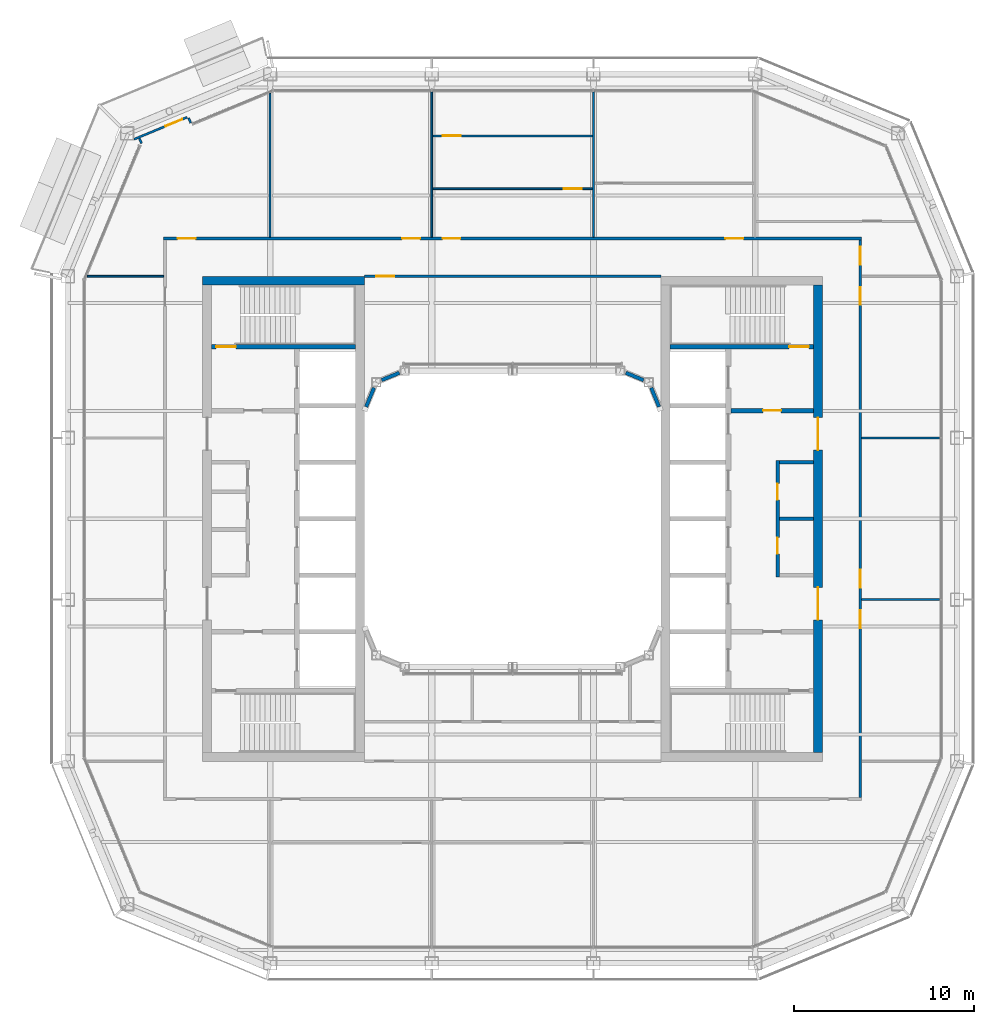
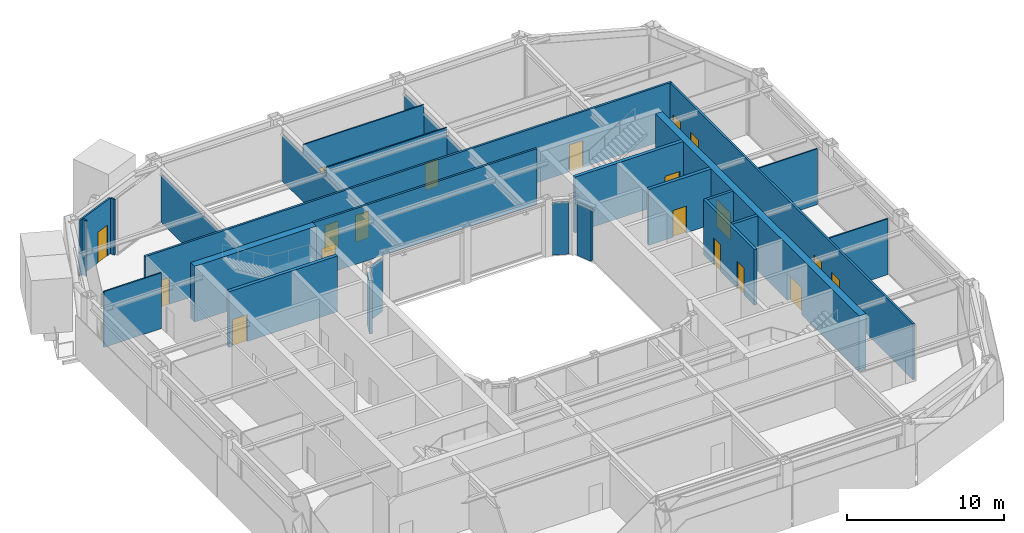
# One storey, part 13 of 21: 26 walls, 19 doors, 19 openings.
"""IFC4 building model written with IfcOpenShell, lengths in metres."""

from ifc_helpers import new_model, si_unit, direction, frame, frame_2d, origin, place, context, subcontext, project, spatial, rectangle, extrude, material, layer, layer_set, type_object, element, fill, save


model = new_model("IFC4")

# Units and contexts
model_context = context("Model", 3, precision=1e-05, world=origin(), true_north=direction((0.0, 1.0)))
body_context = subcontext(model_context, "Body", "Model", "MODEL_VIEW")
ifc_project = project(units=[si_unit("LENGTHUNIT", "METRE"), si_unit("AREAUNIT", "SQUARE_METRE"), si_unit("VOLUMEUNIT", "CUBIC_METRE"), si_unit("PLANEANGLEUNIT", "RADIAN"), si_unit("MASSUNIT", "GRAM", prefix="KILO")], contexts=[model_context])

# Site, building, storey
site_placement = place(None, origin())
site = spatial("IfcSite", under=ifc_project, at=site_placement, CompositionType="ELEMENT")
building_placement = place(site_placement, origin())
building = spatial("IfcBuilding", under=site, at=building_placement, Name="Siwar Civic Tower", CompositionType="ELEMENT")
storey_placement = place(building_placement, frame((0.0, 0.0, 312.199951171875)))
storey = spatial("IfcBuildingStorey", under=building, at=storey_placement, Name="L67", CompositionType="ELEMENT", Elevation=312.199951171875)

# Wall, openings, doors
ifc_material_1 = material(Name="Gypsum board on steel studs", Category="steel")
ifc_layer_1 = layer(ifc_material_1, 0.199951171875)
ifc_layer_set_1 = layer_set([ifc_layer_1], Name="Gypsum board on steel studs")
wall_type_1 = type_object("IfcWallType", Name="CORE-PARTITION-200", PredefinedType="PARTITIONING", material=ifc_layer_set_1)
wall_1_placement = place(storey_placement, frame((14.75, -3.25, 0.0), z_axis=(0.0, 0.0, 1.0), x_axis=(0.0, 1.0, 0.0)))
wall_1 = element("IfcWall", 1, at=wall_1_placement, inside=storey, type_object=wall_type_1, Name="Core partition E", PredefinedType="PARTITIONING", context=body_context, shape_type="SweptSolid", body=[
    extrude(rectangle(XDim=6.5, YDim=0.199951171875, at=frame_2d((3.25, 0.0))), origin(), (0.0, 0.0, 1.0), 4.35009765625),
])
opening_1_placement = place(wall_1_placement, frame((1.300048828125, 0.0, 0.0)))
opening_1 = element("IfcOpeningElement", 2, at=opening_1_placement, cuts=wall_1, Name="Opening L67-CE13", PredefinedType="OPENING", context=body_context, shape_type="SweptSolid", body=[
    extrude(rectangle(XDim=0.89990234375, YDim=2.10009765625, at=frame_2d((0.449951171875, 1.050048828125))), frame((0.0, 0.10986328125, 0.0), z_axis=(0.0, -1.0, 0.0), x_axis=(1.0, 0.0, 0.0)), (0.0, 0.0, 1.0), 0.219970703125),
])
opening_2_placement = place(wall_1_placement, frame((4.300048828125, 0.0, 0.0)))
opening_2 = element("IfcOpeningElement", 3, at=opening_2_placement, cuts=wall_1, Name="Opening L67-CE14", PredefinedType="OPENING", context=body_context, shape_type="SweptSolid", body=[
    extrude(rectangle(XDim=0.89990234375, YDim=2.10009765625, at=frame_2d((0.449951171875, 1.050048828125))), frame((0.0, 0.10986328125, 0.0), z_axis=(0.0, -1.0, 0.0), x_axis=(1.0, 0.0, 0.0)), (0.0, 0.0, 1.0), 0.219970703125),
])
ifc_material_2 = material(Name="Steel door leaf", Category="steel")
door_type_1 = type_object("IfcDoorType", Name="CORE-DOOR-ROOM", OperationType="SINGLE_SWING_LEFT", PredefinedType="DOOR", material=ifc_material_2)
door_1_placement = place(opening_1_placement, origin())
door_1 = element("IfcDoor", 4, at=door_1_placement, inside=storey, type_object=door_type_1, Name="Core room door L67-CE13", OperationType="SINGLE_SWING_RIGHT", OverallHeight=2.10009765625, OverallWidth=0.89990234375, PredefinedType="DOOR", context=body_context, shape_type="SweptSolid", body=[
    extrude(rectangle(XDim=0.89990234375, YDim=2.10009765625, at=frame_2d((0.449951171875, 1.050048828125))), frame((0.0, 0.02490234375, 0.0), z_axis=(0.0, -1.0, 0.0), x_axis=(1.0, 0.0, 0.0)), (0.0, 0.0, 1.0), 0.050048828125),
])
fill(opening_1, door_1)
door_2_placement = place(opening_2_placement, origin())
door_2 = element("IfcDoor", 5, at=door_2_placement, inside=storey, type_object=door_type_1, Name="Core room door L67-CE14", OperationType="SINGLE_SWING_LEFT", OverallHeight=2.10009765625, OverallWidth=0.89990234375, PredefinedType="DOOR", context=body_context, shape_type="SweptSolid", body=[
    extrude(rectangle(XDim=0.89990234375, YDim=2.10009765625, at=frame_2d((0.449951171875, 1.050048828125))), frame((0.0, 0.02490234375, 0.0), z_axis=(0.0, -1.0, 0.0), x_axis=(1.0, 0.0, 0.0)), (0.0, 0.0, 1.0), 0.050048828125),
])
fill(opening_2, door_2)

# Walls
for number, where, z_axis, x_axis, name in (
    (6, (14.85009765625, 3.14990234375, 0.0), (0.0, 0.0, 1.0), (1.0, 0.0, 0.0), "Core partition E"),
    (7, (14.85009765625, 0.0, 0.0), (0.0, 0.0, 1.0), (1.0, 0.0, 0.0), "Core partition E"),
):
    element("IfcWall", number, at=place(storey_placement, frame(where, z_axis=z_axis, x_axis=x_axis)), inside=storey, type_object=wall_type_1, Name=name, PredefinedType="PARTITIONING", context=body_context, shape_type="SweptSolid", body=[
        extrude(rectangle(XDim=1.89990234375, YDim=0.199951171875, at=frame_2d((0.949951171875, 0.0))), origin(), (0.0, 0.0, 1.0), 4.35009765625),
    ])

# Wall, opening, door
ifc_material_3 = material(Name="Concrete C60/75", Category="concrete")
ifc_layer_2 = layer(ifc_material_3, 0.25)
ifc_layer_set_2 = layer_set([ifc_layer_2], Name="Concrete C60/75")
wall_type_2 = type_object("IfcWallType", Name="CORE-WALL-RC250", PredefinedType="SHEAR", material=ifc_layer_set_2)
wall_2_placement = place(storey_placement, frame((-8.75, 9.574951171875, 0.0), z_axis=(0.0, 0.0, 1.0), x_axis=(-1.0, 0.0, 0.0)))
wall_2 = element("IfcWall", 8, at=wall_2_placement, inside=storey, type_object=wall_type_2, Name="Core wall W", PredefinedType="SHEAR", context=body_context, shape_type="SweptSolid", body=[
    extrude(rectangle(XDim=8.0, YDim=0.25, at=frame_2d((4.0, 0.0))), origin(), (0.0, 0.0, 1.0), 4.35009765625),
])
opening_3_placement = place(wall_2_placement, frame((6.64990234375, 0.0, 0.0)))
opening_3 = element("IfcOpeningElement", 9, at=opening_3_placement, cuts=wall_2, Name="Opening L67-CW03", PredefinedType="OPENING", context=body_context, shape_type="SweptSolid", body=[
    extrude(rectangle(XDim=1.10009765625, YDim=2.10009765625, at=frame_2d((0.550048828125, 1.050048828125))), frame((0.0, 0.135009765625, 0.0), z_axis=(0.0, -1.0, 0.0), x_axis=(1.0, 0.0, 0.0)), (0.0, 0.0, 1.0), 0.27001953125),
])
ifc_material_4 = material(Name="Steel door leaf", Category="steel")
door_type_2 = type_object("IfcDoorType", Name="CORE-DOOR-FD60S", OperationType="SINGLE_SWING_LEFT", PredefinedType="DOOR", material=ifc_material_4)
door_3_placement = place(opening_3_placement, origin())
door_3 = element("IfcDoor", 10, at=door_3_placement, inside=storey, type_object=door_type_2, Name="Stair door L67-CW03", OperationType="SINGLE_SWING_RIGHT", OverallHeight=2.10009765625, OverallWidth=1.10009765625, PredefinedType="DOOR", context=body_context, shape_type="SweptSolid", body=[
    extrude(rectangle(XDim=1.10009765625, YDim=2.10009765625, at=frame_2d((0.550048828125, 1.050048828125))), frame((0.0, 0.02490234375, 0.0), z_axis=(0.0, -1.0, 0.0), x_axis=(1.0, 0.0, 0.0)), (0.0, 0.0, 1.0), 0.050048828125),
])
fill(opening_3, door_3)

wall_3_placement = place(storey_placement, frame((12.14990234375, 6.02490234375, 0.0), z_axis=(0.0, 0.0, 1.0), x_axis=(1.0, 0.0, 0.0)))
wall_3 = element("IfcWall", 11, at=wall_3_placement, inside=storey, type_object=wall_type_2, Name="Core wall E", PredefinedType="SHEAR", context=body_context, shape_type="SweptSolid", body=[
    extrude(rectangle(XDim=4.60009765625, YDim=0.25, at=frame_2d((2.300048828125, 0.0))), origin(), (0.0, 0.0, 1.0), 4.35009765625),
])
opening_4_placement = place(wall_3_placement, frame((1.800048828125, 0.0, 0.0)))
opening_4 = element("IfcOpeningElement", 12, at=opening_4_placement, cuts=wall_3, Name="Opening L67-CE01", PredefinedType="OPENING", context=body_context, shape_type="SweptSolid", body=[
    extrude(rectangle(XDim=1.0, YDim=2.10009765625, at=frame_2d((0.5, 1.050048828125))), frame((0.0, 0.135009765625, 0.0), z_axis=(0.0, -1.0, 0.0), x_axis=(1.0, 0.0, 0.0)), (0.0, 0.0, 1.0), 0.27001953125),
])
ifc_material_5 = material(Name="Steel door leaf", Category="steel")
door_type_3 = type_object("IfcDoorType", Name="CORE-DOOR-FD30S", OperationType="SINGLE_SWING_LEFT", PredefinedType="DOOR", material=ifc_material_5)
door_4_placement = place(opening_4_placement, origin())
door_4 = element("IfcDoor", 13, at=door_4_placement, inside=storey, type_object=door_type_3, Name="Firefighting lobby door L67-CE01", OperationType="SINGLE_SWING_RIGHT", OverallHeight=2.10009765625, OverallWidth=1.0, PredefinedType="DOOR", context=body_context, shape_type="SweptSolid", body=[
    extrude(rectangle(XDim=1.0, YDim=2.10009765625, at=frame_2d((0.5, 1.050048828125))), frame((0.0, 0.02490234375, 0.0), z_axis=(0.0, -1.0, 0.0), x_axis=(1.0, 0.0, 0.0)), (0.0, 0.0, 1.0), 0.050048828125),
])
fill(opening_4, door_4)

wall_4_placement = place(storey_placement, frame((8.75, 9.574951171875, 0.0), z_axis=(0.0, 0.0, 1.0), x_axis=(1.0, 0.0, 0.0)))
wall_4 = element("IfcWall", 14, at=wall_4_placement, inside=storey, type_object=wall_type_2, Name="Core wall E", PredefinedType="SHEAR", context=body_context, shape_type="SweptSolid", body=[
    extrude(rectangle(XDim=8.0, YDim=0.25, at=frame_2d((4.0, 0.0))), origin(), (0.0, 0.0, 1.0), 4.35009765625),
])
opening_5_placement = place(wall_4_placement, frame((6.64990234375, 0.0, 0.0)))
opening_5 = element("IfcOpeningElement", 15, at=opening_5_placement, cuts=wall_4, Name="Opening L67-CE03", PredefinedType="OPENING", context=body_context, shape_type="SweptSolid", body=[
    extrude(rectangle(XDim=1.10009765625, YDim=2.10009765625, at=frame_2d((0.550048828125, 1.050048828125))), frame((0.0, 0.135009765625, 0.0), z_axis=(0.0, -1.0, 0.0), x_axis=(1.0, 0.0, 0.0)), (0.0, 0.0, 1.0), 0.27001953125),
])
door_5_placement = place(opening_5_placement, origin())
door_5 = element("IfcDoor", 16, at=door_5_placement, inside=storey, type_object=door_type_2, Name="Stair door L67-CE03", OperationType="SINGLE_SWING_LEFT", OverallHeight=2.10009765625, OverallWidth=1.10009765625, PredefinedType="DOOR", context=body_context, shape_type="SweptSolid", body=[
    extrude(rectangle(XDim=1.10009765625, YDim=2.10009765625, at=frame_2d((0.550048828125, 1.050048828125))), frame((0.0, 0.02490234375, 0.0), z_axis=(0.0, -1.0, 0.0), x_axis=(1.0, 0.0, 0.0)), (0.0, 0.0, 1.0), 0.050048828125),
])
fill(opening_5, door_5)

# Wall
ifc_material_6 = material(Name="Concrete C60/75", Category="concrete")
ifc_layer_3 = layer(ifc_material_6, 0.5)
ifc_layer_set_3 = layer_set([ifc_layer_3], Name="Concrete C60/75")
wall_type_3 = type_object("IfcWallType", Name="CORE-WALL-RC500", PredefinedType="SHEAR", material=ifc_layer_set_3)
wall_5_placement = place(storey_placement, frame((-8.25, 13.25, 0.0), z_axis=(0.0, 0.0, 1.0), x_axis=(-1.0, 0.0, 0.0)))
element("IfcWall", 17, at=wall_5_placement, inside=storey, type_object=wall_type_3, Name="Core wall W", PredefinedType="SHEAR", context=body_context, shape_type="SweptSolid", body=[
    extrude(rectangle(XDim=9.0, YDim=0.5, at=frame_2d((4.5, 0.0))), origin(), (0.0, 0.0, 1.0), 4.35009765625),
])

# Wall, openings, doors
wall_6_placement = place(storey_placement, frame((17.0, -13.0, 0.0), z_axis=(0.0, 0.0, 1.0), x_axis=(0.0, 1.0, 0.0)))
wall_6 = element("IfcWall", 18, at=wall_6_placement, inside=storey, type_object=wall_type_3, Name="Core wall E", PredefinedType="SHEAR", context=body_context, shape_type="SweptSolid", body=[
    extrude(rectangle(XDim=26.0, YDim=0.5, at=frame_2d((13.0, 0.0))), origin(), (0.0, 0.0, 1.0), 4.35009765625),
])
opening_6_placement = place(wall_6_placement, frame((16.824951171875, 0.0, 0.0)))
opening_6 = element("IfcOpeningElement", 19, at=opening_6_placement, cuts=wall_6, Name="Opening L67-CE05", PredefinedType="OPENING", context=body_context, shape_type="SweptSolid", body=[
    extrude(rectangle(XDim=1.800048828125, YDim=2.10009765625, at=frame_2d((0.89990234375, 1.050048828125))), frame((0.0, 0.260009765625, 0.0), z_axis=(0.0, -1.0, 0.0), x_axis=(1.0, 0.0, 0.0)), (0.0, 0.0, 1.0), 0.52001953125),
])
opening_7_placement = place(wall_6_placement, frame((7.375, 0.0, 0.0)))
opening_7 = element("IfcOpeningElement", 20, at=opening_7_placement, cuts=wall_6, Name="Opening L67-CE06", PredefinedType="OPENING", context=body_context, shape_type="SweptSolid", body=[
    extrude(rectangle(XDim=1.800048828125, YDim=2.10009765625, at=frame_2d((0.89990234375, 1.050048828125))), frame((0.0, 0.260009765625, 0.0), z_axis=(0.0, -1.0, 0.0), x_axis=(1.0, 0.0, 0.0)), (0.0, 0.0, 1.0), 0.52001953125),
])
ifc_material_7 = material(Name="Steel door leaf", Category="steel")
door_type_4 = type_object("IfcDoorType", Name="CORE-DOOR-PORT", OperationType="DOUBLE_DOOR_DOUBLE_SWING", PredefinedType="DOOR", material=ifc_material_7)
door_6_placement = place(opening_6_placement, origin())
door_6 = element("IfcDoor", 21, at=door_6_placement, inside=storey, type_object=door_type_4, Name="Core entrance door L67-CE05", OperationType="DOUBLE_DOOR_DOUBLE_SWING", OverallHeight=2.10009765625, OverallWidth=1.800048828125, PredefinedType="DOOR", context=body_context, shape_type="SweptSolid", body=[
    extrude(rectangle(XDim=1.800048828125, YDim=2.10009765625, at=frame_2d((0.89990234375, 1.050048828125))), frame((0.0, 0.02490234375, 0.0), z_axis=(0.0, -1.0, 0.0), x_axis=(1.0, 0.0, 0.0)), (0.0, 0.0, 1.0), 0.050048828125),
])
fill(opening_6, door_6)
door_7_placement = place(opening_7_placement, origin())
door_7 = element("IfcDoor", 22, at=door_7_placement, inside=storey, type_object=door_type_4, Name="Core entrance door L67-CE06", OperationType="DOUBLE_DOOR_DOUBLE_SWING", OverallHeight=2.10009765625, OverallWidth=1.800048828125, PredefinedType="DOOR", context=body_context, shape_type="SweptSolid", body=[
    extrude(rectangle(XDim=1.800048828125, YDim=2.10009765625, at=frame_2d((0.89990234375, 1.050048828125))), frame((0.0, 0.02490234375, 0.0), z_axis=(0.0, -1.0, 0.0), x_axis=(1.0, 0.0, 0.0)), (0.0, 0.0, 1.0), 0.050048828125),
])
fill(opening_7, door_7)

# Wall, opening, door
ifc_material_8 = material(Name="Gypsum board on steel studs", Category="steel")
ifc_layer_4 = layer(ifc_material_8, 0.14990234375)
ifc_layer_set_4 = layer_set([ifc_layer_4], Name="Gypsum board on steel studs")
wall_type_4 = type_object("IfcWallType", Name="CORRIDOR PARTITION 150 EI 30", PredefinedType="PARTITIONING", material=ifc_layer_set_4)
wall_7_placement = place(storey_placement, frame((-8.25, 13.5, 0.0), z_axis=(0.0, 0.0, 1.0), x_axis=(1.0, 0.0, 0.0)))
wall_7 = element("IfcWall", 23, at=wall_7_placement, inside=storey, type_object=wall_type_4, Name="L67/wall/P14", PredefinedType="PARTITIONING", context=body_context, shape_type="SweptSolid", body=[
    extrude(rectangle(XDim=16.5, YDim=0.14990234375, at=frame_2d((8.25, 0.0))), origin(), (0.0, 0.0, 1.0), 4.35009765625),
])
opening_8_placement = place(wall_7_placement, frame((0.64990234375, 0.0, 0.0)))
opening_8 = element("IfcOpeningElement", 24, at=opening_8_placement, cuts=wall_7, Name="Opening D1", PredefinedType="OPENING", context=body_context, shape_type="SweptSolid", body=[
    extrude(rectangle(XDim=1.0, YDim=2.10009765625, at=frame_2d((0.5, 1.050048828125))), frame((0.0, 0.0849609375, 0.0), z_axis=(0.0, -1.0, 0.0), x_axis=(1.0, 0.0, 0.0)), (0.0, 0.0, 1.0), 0.169921875),
])
ifc_material_9 = material(Name="Timber, painted", Category="wood")
door_type_5 = type_object("IfcDoorType", Name="DOOR 1000 X 2100 FD30", OperationType="SINGLE_SWING_LEFT", PredefinedType="DOOR", material=ifc_material_9)
door_8_placement = place(opening_8_placement, origin())
door_8 = element("IfcDoor", 25, at=door_8_placement, inside=storey, type_object=door_type_5, Name="L67-D23", OperationType="SINGLE_SWING_LEFT", OverallHeight=2.10009765625, OverallWidth=1.0, PredefinedType="DOOR", context=body_context, shape_type="SweptSolid", body=[
    extrude(rectangle(XDim=1.0, YDim=2.10009765625, at=frame_2d((0.5, 1.050048828125))), frame((0.0, 0.02490234375, 0.0), z_axis=(0.0, -1.0, 0.0), x_axis=(1.0, 0.0, 0.0)), (0.0, 0.0, 1.0), 0.050048828125),
])
fill(opening_8, door_8)

# Wall, openings, doors
wall_8_placement = place(storey_placement, frame((-19.425048828125, 15.60009765625, 0.0), z_axis=(0.0, 0.0, 1.0), x_axis=(1.0, 0.0, 0.0)))
wall_8 = element("IfcWall", 26, at=wall_8_placement, inside=storey, type_object=wall_type_4, Name="L67/wall/P15", PredefinedType="PARTITIONING", context=body_context, shape_type="SweptSolid", body=[
    extrude(rectangle(XDim=38.85009765625, YDim=0.14990234375, at=frame_2d((19.425048828125, 0.0))), origin(), (0.0, 0.0, 1.0), 4.35009765625),
])
opening_9_placement = place(wall_8_placement, frame((13.27490234375, 0.0, 0.0)))
opening_9 = element("IfcOpeningElement", 27, at=opening_9_placement, cuts=wall_8, Name="Opening D1", PredefinedType="OPENING", context=body_context, shape_type="SweptSolid", body=[
    extrude(rectangle(XDim=1.0, YDim=2.10009765625, at=frame_2d((0.5, 1.050048828125))), frame((0.0, 0.0849609375, 0.0), z_axis=(0.0, -1.0, 0.0), x_axis=(1.0, 0.0, 0.0)), (0.0, 0.0, 1.0), 0.169921875),
])
opening_10_placement = place(wall_8_placement, frame((15.52490234375, 0.0, 0.0)))
opening_10 = element("IfcOpeningElement", 28, at=opening_10_placement, cuts=wall_8, Name="Opening D1", PredefinedType="OPENING", context=body_context, shape_type="SweptSolid", body=[
    extrude(rectangle(XDim=1.0, YDim=2.10009765625, at=frame_2d((0.5, 1.050048828125))), frame((0.0, 0.0849609375, 0.0), z_axis=(0.0, -1.0, 0.0), x_axis=(1.0, 0.0, 0.0)), (0.0, 0.0, 1.0), 0.169921875),
])
opening_11_placement = place(wall_8_placement, frame((31.27490234375, 0.0, 0.0)))
opening_11 = element("IfcOpeningElement", 29, at=opening_11_placement, cuts=wall_8, Name="Opening D1", PredefinedType="OPENING", context=body_context, shape_type="SweptSolid", body=[
    extrude(rectangle(XDim=1.0, YDim=2.10009765625, at=frame_2d((0.5, 1.050048828125))), frame((0.0, 0.0849609375, 0.0), z_axis=(0.0, -1.0, 0.0), x_axis=(1.0, 0.0, 0.0)), (0.0, 0.0, 1.0), 0.169921875),
])
opening_12_placement = place(wall_8_placement, frame((0.77490234375, 0.0, 0.0)))
opening_12 = element("IfcOpeningElement", 30, at=opening_12_placement, cuts=wall_8, Name="Opening D1", PredefinedType="OPENING", context=body_context, shape_type="SweptSolid", body=[
    extrude(rectangle(XDim=1.0, YDim=2.10009765625, at=frame_2d((0.5, 1.050048828125))), frame((0.0, 0.0849609375, 0.0), z_axis=(0.0, -1.0, 0.0), x_axis=(1.0, 0.0, 0.0)), (0.0, 0.0, 1.0), 0.169921875),
])
door_9_placement = place(opening_9_placement, origin())
door_9 = element("IfcDoor", 31, at=door_9_placement, inside=storey, type_object=door_type_5, Name="L67-D01", OperationType="SINGLE_SWING_LEFT", OverallHeight=2.10009765625, OverallWidth=1.0, PredefinedType="DOOR", context=body_context, shape_type="SweptSolid", body=[
    extrude(rectangle(XDim=1.0, YDim=2.10009765625, at=frame_2d((0.5, 1.050048828125))), frame((0.0, 0.02490234375, 0.0), z_axis=(0.0, -1.0, 0.0), x_axis=(1.0, 0.0, 0.0)), (0.0, 0.0, 1.0), 0.050048828125),
])
fill(opening_9, door_9)
door_10_placement = place(opening_10_placement, origin())
door_10 = element("IfcDoor", 32, at=door_10_placement, inside=storey, type_object=door_type_5, Name="L67-D02", OperationType="SINGLE_SWING_RIGHT", OverallHeight=2.10009765625, OverallWidth=1.0, PredefinedType="DOOR", context=body_context, shape_type="SweptSolid", body=[
    extrude(rectangle(XDim=1.0, YDim=2.10009765625, at=frame_2d((0.5, 1.050048828125))), frame((0.0, 0.02490234375, 0.0), z_axis=(0.0, -1.0, 0.0), x_axis=(1.0, 0.0, 0.0)), (0.0, 0.0, 1.0), 0.050048828125),
])
fill(opening_10, door_10)
door_11_placement = place(opening_11_placement, origin())
door_11 = element("IfcDoor", 33, at=door_11_placement, inside=storey, type_object=door_type_5, Name="L67-D05", OperationType="SINGLE_SWING_LEFT", OverallHeight=2.10009765625, OverallWidth=1.0, PredefinedType="DOOR", context=body_context, shape_type="SweptSolid", body=[
    extrude(rectangle(XDim=1.0, YDim=2.10009765625, at=frame_2d((0.5, 1.050048828125))), frame((0.0, 0.02490234375, 0.0), z_axis=(0.0, -1.0, 0.0), x_axis=(1.0, 0.0, 0.0)), (0.0, 0.0, 1.0), 0.050048828125),
])
fill(opening_11, door_11)
door_12_placement = place(opening_12_placement, origin())
door_12 = element("IfcDoor", 34, at=door_12_placement, inside=storey, type_object=door_type_5, Name="L67-D12", OperationType="SINGLE_SWING_RIGHT", OverallHeight=2.10009765625, OverallWidth=1.0, PredefinedType="DOOR", context=body_context, shape_type="SweptSolid", body=[
    extrude(rectangle(XDim=1.0, YDim=2.10009765625, at=frame_2d((0.5, 1.050048828125))), frame((0.0, 0.02490234375, 0.0), z_axis=(0.0, -1.0, 0.0), x_axis=(1.0, 0.0, 0.0)), (0.0, 0.0, 1.0), 0.050048828125),
])
fill(opening_12, door_12)

wall_9_placement = place(storey_placement, frame((19.35009765625, -15.52490234375, 0.0), z_axis=(0.0, 0.0, 1.0), x_axis=(0.0, 1.0, 0.0)))
wall_9 = element("IfcWall", 35, at=wall_9_placement, inside=storey, type_object=wall_type_4, Name="L67/wall/P33", PredefinedType="PARTITIONING", context=body_context, shape_type="SweptSolid", body=[
    extrude(rectangle(XDim=31.0498046875, YDim=0.14990234375, at=frame_2d((15.52490234375, 0.0))), origin(), (0.0, 0.0, 1.0), 4.35009765625),
])
opening_13_placement = place(wall_9_placement, frame((29.675048828125, 0.0, 0.0)))
opening_13 = element("IfcOpeningElement", 36, at=opening_13_placement, cuts=wall_9, Name="Opening D1", PredefinedType="OPENING", context=body_context, shape_type="SweptSolid", body=[
    extrude(rectangle(XDim=1.0, YDim=2.10009765625, at=frame_2d((0.5, 1.050048828125))), frame((0.0, 0.0849609375, 0.0), z_axis=(0.0, -1.0, 0.0), x_axis=(1.0, 0.0, 0.0)), (0.0, 0.0, 1.0), 0.169921875),
])
opening_14_placement = place(wall_9_placement, frame((9.425048828125, 0.0, 0.0)))
opening_14 = element("IfcOpeningElement", 37, at=opening_14_placement, cuts=wall_9, Name="Opening D1", PredefinedType="OPENING", context=body_context, shape_type="SweptSolid", body=[
    extrude(rectangle(XDim=1.0, YDim=2.10009765625, at=frame_2d((0.5, 1.050048828125))), frame((0.0, 0.0849609375, 0.0), z_axis=(0.0, -1.0, 0.0), x_axis=(1.0, 0.0, 0.0)), (0.0, 0.0, 1.0), 0.169921875),
])
opening_15_placement = place(wall_9_placement, frame((11.675048828125, 0.0, 0.0)))
opening_15 = element("IfcOpeningElement", 38, at=opening_15_placement, cuts=wall_9, Name="Opening D1", PredefinedType="OPENING", context=body_context, shape_type="SweptSolid", body=[
    extrude(rectangle(XDim=1.0, YDim=2.10009765625, at=frame_2d((0.5, 1.050048828125))), frame((0.0, 0.0849609375, 0.0), z_axis=(0.0, -1.0, 0.0), x_axis=(1.0, 0.0, 0.0)), (0.0, 0.0, 1.0), 0.169921875),
])
opening_16_placement = place(wall_9_placement, frame((27.425048828125, 0.0, 0.0)))
opening_16 = element("IfcOpeningElement", 39, at=opening_16_placement, cuts=wall_9, Name="Opening D1", PredefinedType="OPENING", context=body_context, shape_type="SweptSolid", body=[
    extrude(rectangle(XDim=1.0, YDim=2.10009765625, at=frame_2d((0.5, 1.050048828125))), frame((0.0, 0.0849609375, 0.0), z_axis=(0.0, -1.0, 0.0), x_axis=(1.0, 0.0, 0.0)), (0.0, 0.0, 1.0), 0.169921875),
])
door_13_placement = place(opening_13_placement, origin())
door_13 = element("IfcDoor", 40, at=door_13_placement, inside=storey, type_object=door_type_5, Name="L67-D13", OperationType="SINGLE_SWING_LEFT", OverallHeight=2.10009765625, OverallWidth=1.0, PredefinedType="DOOR", context=body_context, shape_type="SweptSolid", body=[
    extrude(rectangle(XDim=1.0, YDim=2.10009765625, at=frame_2d((0.5, 1.050048828125))), frame((0.0, 0.02490234375, 0.0), z_axis=(0.0, -1.0, 0.0), x_axis=(1.0, 0.0, 0.0)), (0.0, 0.0, 1.0), 0.050048828125),
])
fill(opening_13, door_13)
door_14_placement = place(opening_14_placement, origin())
door_14 = element("IfcDoor", 41, at=door_14_placement, inside=storey, type_object=door_type_5, Name="L67-D20", OperationType="SINGLE_SWING_RIGHT", OverallHeight=2.10009765625, OverallWidth=1.0, PredefinedType="DOOR", context=body_context, shape_type="SweptSolid", body=[
    extrude(rectangle(XDim=1.0, YDim=2.10009765625, at=frame_2d((0.5, 1.050048828125))), frame((0.0, 0.02490234375, 0.0), z_axis=(0.0, -1.0, 0.0), x_axis=(1.0, 0.0, 0.0)), (0.0, 0.0, 1.0), 0.050048828125),
])
fill(opening_14, door_14)
door_15_placement = place(opening_15_placement, origin())
door_15 = element("IfcDoor", 42, at=door_15_placement, inside=storey, type_object=door_type_5, Name="L67-D21", OperationType="SINGLE_SWING_LEFT", OverallHeight=2.10009765625, OverallWidth=1.0, PredefinedType="DOOR", context=body_context, shape_type="SweptSolid", body=[
    extrude(rectangle(XDim=1.0, YDim=2.10009765625, at=frame_2d((0.5, 1.050048828125))), frame((0.0, 0.02490234375, 0.0), z_axis=(0.0, -1.0, 0.0), x_axis=(1.0, 0.0, 0.0)), (0.0, 0.0, 1.0), 0.050048828125),
])
fill(opening_15, door_15)
door_16_placement = place(opening_16_placement, origin())
door_16 = element("IfcDoor", 43, at=door_16_placement, inside=storey, type_object=door_type_5, Name="L67-D22", OperationType="SINGLE_SWING_RIGHT", OverallHeight=2.10009765625, OverallWidth=1.0, PredefinedType="DOOR", context=body_context, shape_type="SweptSolid", body=[
    extrude(rectangle(XDim=1.0, YDim=2.10009765625, at=frame_2d((0.5, 1.050048828125))), frame((0.0, 0.02490234375, 0.0), z_axis=(0.0, -1.0, 0.0), x_axis=(1.0, 0.0, 0.0)), (0.0, 0.0, 1.0), 0.050048828125),
])
fill(opening_16, door_16)

# Walls
ifc_material_10 = material(Name="Aluminium clad insulated panel", Category="aluminium")
ifc_layer_5 = layer(ifc_material_10, 0.1201171875)
ifc_layer_set_5 = layer_set([ifc_layer_5], Name="Aluminium clad insulated panel")
wall_type_5 = type_object("IfcWallType", Name="ENV-WALL-BAL", PredefinedType="STANDARD", material=ifc_layer_set_5)
wall_10_placement = place(storey_placement, frame((-17.91748046875, 22.03271484375, 0.0), z_axis=(0.0, 0.0, 1.0), x_axis=(-0.382769136873, 0.923844027884, 0.0)))
element("IfcWall", 44, at=wall_10_placement, inside=storey, type_object=wall_type_5, Name="Balcony door wall return NW1", PredefinedType="STANDARD", context=body_context, shape_type="SweptSolid", body=[
    extrude(rectangle(XDim=0.31005859375, YDim=0.1201171875, at=frame_2d((0.155029296875, 0.0))), origin(), (0.0, 0.0, 1.0), 4.35009765625),
])
wall_11_placement = place(storey_placement, frame((-20.66015625, 20.896484375, 0.0), z_axis=(0.0, 0.0, 1.0), x_axis=(-0.382490814953, 0.923959293734, 0.0)))
element("IfcWall", 45, at=wall_11_placement, inside=storey, type_object=wall_type_5, Name="Balcony door wall return NW1", PredefinedType="STANDARD", context=body_context, shape_type="SweptSolid", body=[
    extrude(rectangle(XDim=0.310302734375, YDim=0.1201171875, at=frame_2d((0.1552734375, 0.0))), origin(), (0.0, 0.0, 1.0), 4.35009765625),
])

# Wall, opening, door
wall_12_placement = place(storey_placement, frame((-18.114501953125, 22.3515625, 0.0), z_axis=(0.0, 0.0, 1.0), x_axis=(-0.923880552517, -0.382680969843, 0.0)))
wall_12 = element("IfcWall", 46, at=wall_12_placement, inside=storey, type_object=wall_type_5, Name="Balcony door wall NW1", PredefinedType="STANDARD", context=body_context, shape_type="SweptSolid", body=[
    extrude(rectangle(XDim=3.209716796875, YDim=0.1201171875, at=frame_2d((1.60498046875, 0.0))), origin(), (0.0, 0.0, 1.0), 4.35009765625),
])
opening_17_placement = place(wall_12_placement, frame((0.300048828125, 0.0, 0.0)))
opening_17 = element("IfcOpeningElement", 47, at=opening_17_placement, cuts=wall_12, Name="Opening D-BAL", PredefinedType="OPENING", context=body_context, shape_type="SweptSolid", body=[
    extrude(rectangle(XDim=1.0, YDim=2.39990234375, at=frame_2d((0.5, 1.199951171875))), frame((0.0, 0.070068359375, 0.0), z_axis=(0.0, -1.0, 0.0), x_axis=(1.0, 0.0, 0.0)), (0.0, 0.0, 1.0), 0.14013671875),
])
ifc_material_11 = material(Name="Aluminium and glass", Category="aluminium")
door_type_6 = type_object("IfcDoorType", Name="ENV-DOOR-BAL", OperationType="SINGLE_SWING_LEFT", PredefinedType="DOOR", material=ifc_material_11)
door_17_placement = place(opening_17_placement, origin())
door_17 = element("IfcDoor", 48, at=door_17_placement, inside=storey, type_object=door_type_6, Name="Balcony door NW", OperationType="SINGLE_SWING_LEFT", OverallHeight=2.39990234375, OverallWidth=1.0, PredefinedType="DOOR", context=body_context, shape_type="SweptSolid", body=[
    extrude(rectangle(XDim=1.0, YDim=2.39990234375, at=frame_2d((0.5, 1.199951171875))), frame((0.0, 0.02490234375, 0.0), z_axis=(0.0, -1.0, 0.0), x_axis=(1.0, 0.0, 0.0)), (0.0, 0.0, 1.0), 0.050048828125),
])
fill(opening_17, door_17)

# Walls
ifc_material_12 = material(Name="Aluminium clad insulated panel", Category="aluminium")
ifc_layer_6 = layer(ifc_material_12, 0.199951171875)
ifc_layer_set_6 = layer_set([ifc_layer_6], Name="Aluminium clad insulated panel")
wall_type_6 = type_object("IfcWallType", Name="ENV-WALL-WELL", PredefinedType="STANDARD", material=ifc_layer_set_6)
wall_13_placement = place(storey_placement, frame((8.154296875, 6.23095703125, 0.0), z_axis=(0.0, 0.0, 1.0), x_axis=(-0.382571404949, 0.923925927829, 0.0)))
element("IfcWall", 49, at=wall_13_placement, inside=storey, type_object=wall_type_6, Name="Light well corner wall NE1", PredefinedType="STANDARD", context=body_context, shape_type="SweptSolid", body=[
    extrude(rectangle(XDim=1.1455078125, YDim=0.199951171875, at=frame_2d((0.57275390625, 0.0))), origin(), (0.0, 0.0, 1.0), 4.010009765625),
])
for number, where, z_axis, x_axis, name in (
    (50, (7.289306640625, 7.716064453125, 0.0), (0.0, 0.0, 1.0), (-0.923919409248, 0.382587147216, 0.0), "Light well corner wall NE2"),
    (51, (-6.3017578125, 8.125, 0.0), (0.0, 0.0, 1.0), (-0.923919409248, -0.382587147216, 0.0), "Light well corner wall NW1"),
):
    element("IfcWall", number, at=place(storey_placement, frame(where, z_axis=z_axis, x_axis=x_axis)), inside=storey, type_object=wall_type_6, Name=name, PredefinedType="STANDARD", context=body_context, shape_type="SweptSolid", body=[
        extrude(rectangle(XDim=1.06884765625, YDim=0.199951171875, at=frame_2d((0.534423828125, 0.0))), origin(), (0.0, 0.0, 1.0), 4.010009765625),
    ])
wall_14_placement = place(storey_placement, frame((-7.716064453125, 7.289306640625, 0.0), z_axis=(0.0, 0.0, 1.0), x_axis=(-0.382571404949, -0.923925927829, 0.0)))
element("IfcWall", 52, at=wall_14_placement, inside=storey, type_object=wall_type_6, Name="Light well corner wall NW2", PredefinedType="STANDARD", context=body_context, shape_type="SweptSolid", body=[
    extrude(rectangle(XDim=1.1455078125, YDim=0.199951171875, at=frame_2d((0.57275390625, 0.0))), origin(), (0.0, 0.0, 1.0), 4.010009765625),
])
ifc_material_13 = material(Name="Gypsum board on steel studs", Category="steel")
ifc_layer_7 = layer(ifc_material_13, 0.10009765625)
ifc_layer_set_7 = layer_set([ifc_layer_7], Name="Gypsum board on steel studs")
wall_type_7 = type_object("IfcWallType", Name="PARTITION 100 GYPSUM", PredefinedType="PARTITIONING", material=ifc_layer_set_7)
for number, where, z_axis, x_axis, name in (
    (53, (19.425048828125, -4.5, 0.0), (0.0, 0.0, 1.0), (1.0, 0.0, 0.0), "L67/wall/P09"),
    (54, (19.425048828125, 4.5, 0.0), (0.0, 0.0, 1.0), (1.0, 0.0, 0.0), "L67/wall/P11"),
):
    element("IfcWall", number, at=place(storey_placement, frame(where, z_axis=z_axis, x_axis=x_axis)), inside=storey, type_object=wall_type_7, Name=name, PredefinedType="PARTITIONING", context=body_context, shape_type="SweptSolid", body=[
        extrude(rectangle(XDim=4.3349609375, YDim=0.10009765625, at=frame_2d((2.16748046875, 0.0))), origin(), (0.0, 0.0, 1.0), 4.35009765625),
    ])
wall_15_placement = place(storey_placement, frame((-23.677978515625, 13.5, 0.0), z_axis=(0.0, 0.0, 1.0), x_axis=(1.0, 0.0, 0.0)))
element("IfcWall", 55, at=wall_15_placement, inside=storey, type_object=wall_type_7, Name="L67/wall/P12", PredefinedType="PARTITIONING", context=body_context, shape_type="SweptSolid", body=[
    extrude(rectangle(XDim=4.2529296875, YDim=0.10009765625, at=frame_2d((2.12646484375, 0.0))), origin(), (0.0, 0.0, 1.0), 4.35009765625),
])

# Wall, opening, door
wall_16_placement = place(storey_placement, frame((-4.449951171875, 18.3740234375, 0.0), z_axis=(0.0, 0.0, 1.0), x_axis=(1.0, 0.0, 0.0)))
wall_16 = element("IfcWall", 56, at=wall_16_placement, inside=storey, type_object=wall_type_7, Name="L67/wall/P17", PredefinedType="PARTITIONING", context=body_context, shape_type="SweptSolid", body=[
    extrude(rectangle(XDim=8.89990234375, YDim=0.10009765625, at=frame_2d((4.449951171875, 0.0))), origin(), (0.0, 0.0, 1.0), 4.35009765625),
])
opening_18_placement = place(wall_16_placement, frame((7.300048828125, 0.0, 0.0)))
opening_18 = element("IfcOpeningElement", 57, at=opening_18_placement, cuts=wall_16, Name="Opening D2", PredefinedType="OPENING", context=body_context, shape_type="SweptSolid", body=[
    extrude(rectangle(XDim=1.0, YDim=2.10009765625, at=frame_2d((0.5, 1.050048828125))), frame((0.0, 0.06005859375, 0.0), z_axis=(0.0, -1.0, 0.0), x_axis=(1.0, 0.0, 0.0)), (0.0, 0.0, 1.0), 0.1201171875),
])
ifc_material_14 = material(Name="Timber, painted", Category="wood")
door_type_7 = type_object("IfcDoorType", Name="DOOR 1000 X 2100", OperationType="SINGLE_SWING_LEFT", PredefinedType="DOOR", material=ifc_material_14)
door_18_placement = place(opening_18_placement, origin())
door_18 = element("IfcDoor", 58, at=door_18_placement, inside=storey, type_object=door_type_7, Name="L67-D03", OperationType="SINGLE_SWING_LEFT", OverallHeight=2.10009765625, OverallWidth=1.0, PredefinedType="DOOR", context=body_context, shape_type="SweptSolid", body=[
    extrude(rectangle(XDim=1.0, YDim=2.10009765625, at=frame_2d((0.5, 1.050048828125))), frame((0.0, 0.02490234375, 0.0), z_axis=(0.0, -1.0, 0.0), x_axis=(1.0, 0.0, 0.0)), (0.0, 0.0, 1.0), 0.050048828125),
])
fill(opening_18, door_18)

wall_17_placement = place(storey_placement, frame((-4.449951171875, 21.31201171875, 0.0), z_axis=(0.0, 0.0, 1.0), x_axis=(1.0, 0.0, 0.0)))
wall_17 = element("IfcWall", 59, at=wall_17_placement, inside=storey, type_object=wall_type_7, Name="L67/wall/P19", PredefinedType="PARTITIONING", context=body_context, shape_type="SweptSolid", body=[
    extrude(rectangle(XDim=8.89990234375, YDim=0.10009765625, at=frame_2d((4.449951171875, 0.0))), origin(), (0.0, 0.0, 1.0), 4.35009765625),
])
opening_19_placement = place(wall_17_placement, frame((0.550048828125, 0.0, 0.0)))
opening_19 = element("IfcOpeningElement", 60, at=opening_19_placement, cuts=wall_17, Name="Opening D2", PredefinedType="OPENING", context=body_context, shape_type="SweptSolid", body=[
    extrude(rectangle(XDim=1.0, YDim=2.10009765625, at=frame_2d((0.5, 1.050048828125))), frame((0.0, 0.06005859375, 0.0), z_axis=(0.0, -1.0, 0.0), x_axis=(1.0, 0.0, 0.0)), (0.0, 0.0, 1.0), 0.1201171875),
])
door_19_placement = place(opening_19_placement, origin())
door_19 = element("IfcDoor", 61, at=door_19_placement, inside=storey, type_object=door_type_7, Name="L67-D04", OperationType="SINGLE_SWING_RIGHT", OverallHeight=2.10009765625, OverallWidth=1.0, PredefinedType="DOOR", context=body_context, shape_type="SweptSolid", body=[
    extrude(rectangle(XDim=1.0, YDim=2.10009765625, at=frame_2d((0.5, 1.050048828125))), frame((0.0, 0.02490234375, 0.0), z_axis=(0.0, -1.0, 0.0), x_axis=(1.0, 0.0, 0.0)), (0.0, 0.0, 1.0), 0.050048828125),
])
fill(opening_19, door_19)

# Walls
wall_18_placement = place(storey_placement, frame((-13.5, 15.675048828125, 0.0), z_axis=(0.0, 0.0, 1.0), x_axis=(0.0, 1.0, 0.0)))
element("IfcWall", 62, at=wall_18_placement, inside=storey, type_object=wall_type_7, Name="L67/wall/P22", PredefinedType="PARTITIONING", context=body_context, shape_type="SweptSolid", body=[
    extrude(rectangle(XDim=8.0029296875, YDim=0.10009765625, at=frame_2d((4.00146484375, 0.0))), origin(), (0.0, 0.0, 1.0), 3.75),
])
for number, where, z_axis, x_axis, name in (
    (63, (-4.5, 15.675048828125, 0.0), (0.0, 0.0, 1.0), (0.0, 1.0, 0.0), "L67/wall/P25"),
    (64, (4.5, 15.675048828125, 0.0), (0.0, 0.0, 1.0), (0.0, 1.0, 0.0), "L67/wall/P29"),
):
    element("IfcWall", number, at=place(storey_placement, frame(where, z_axis=z_axis, x_axis=x_axis)), inside=storey, type_object=wall_type_7, Name=name, PredefinedType="PARTITIONING", context=body_context, shape_type="SweptSolid", body=[
        extrude(rectangle(XDim=8.0849609375, YDim=0.10009765625, at=frame_2d((4.04248046875, 0.0))), origin(), (0.0, 0.0, 1.0), 3.650146484375),
    ])

save(model, "model.ifc")
